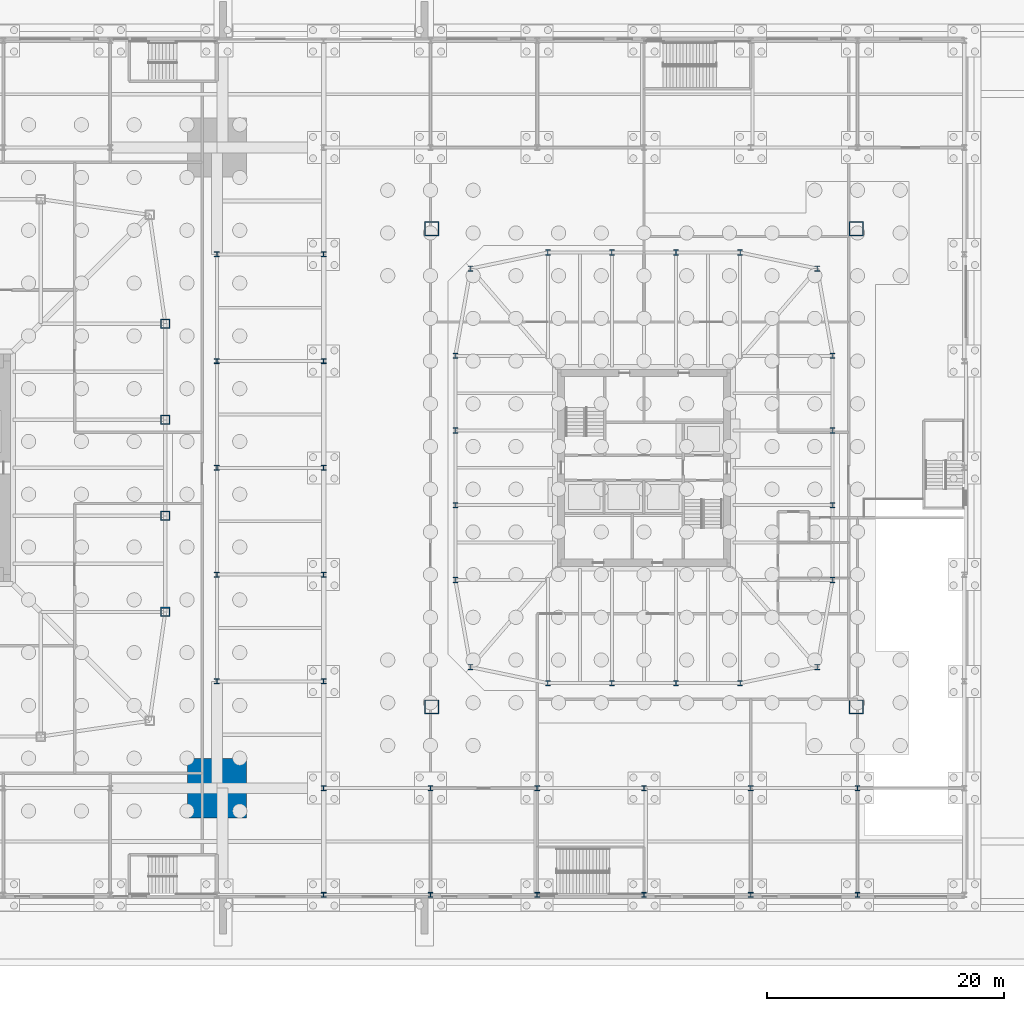
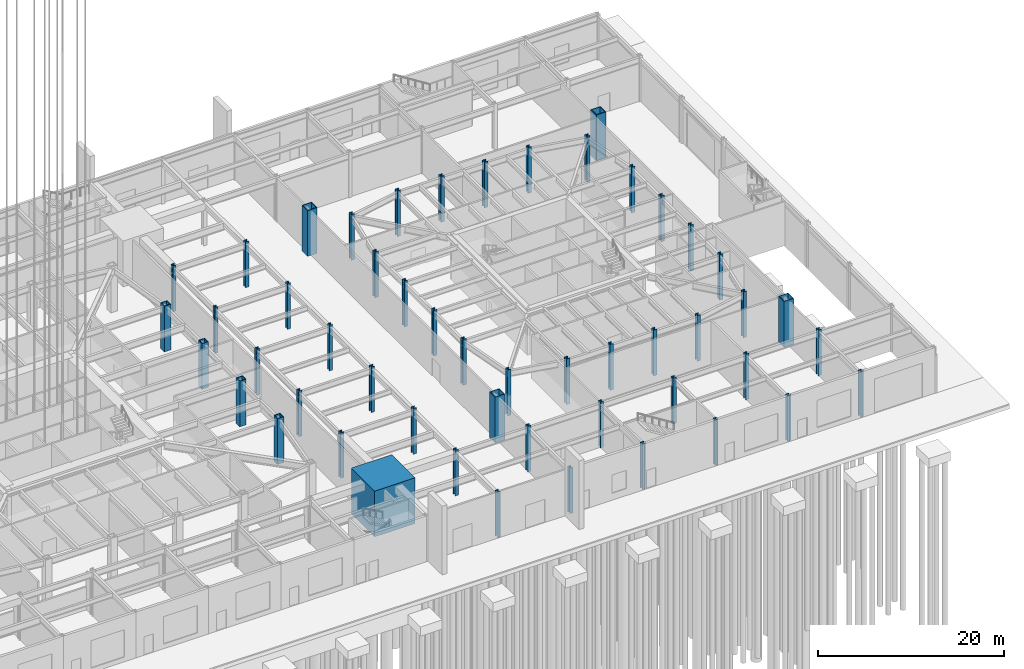
# One storey, part 6 of 37: 51 columns.
"""IFC4 building model written with IfcOpenShell, lengths in metres."""

from ifc_helpers import new_model, si_unit, direction, frame, origin, origin_2d, place, context, subcontext, project, spatial, rectangle, hollow_rectangle, i_section, extrude, material, material_profile, profile_set, type_object, element, save


model = new_model("IFC4")

# Units and contexts
model_context = context("Model", 3, precision=1e-05, world=origin(), true_north=direction((0.0, 1.0)))
body_context = subcontext(model_context, "Body", "Model", "MODEL_VIEW")
ifc_project = project(units=[si_unit("LENGTHUNIT", "METRE"), si_unit("AREAUNIT", "SQUARE_METRE"), si_unit("VOLUMEUNIT", "CUBIC_METRE"), si_unit("PLANEANGLEUNIT", "RADIAN"), si_unit("MASSUNIT", "GRAM", prefix="KILO")], contexts=[model_context])

# Site, building, storey
site_placement = place(None, origin())
site = spatial("IfcSite", under=ifc_project, at=site_placement, CompositionType="ELEMENT")
building_placement = place(site_placement, origin())
building = spatial("IfcBuilding", under=site, at=building_placement, Name="Iwan Alto Co-Living Towers", CompositionType="ELEMENT")
storey_placement = place(building_placement, origin())
storey = spatial("IfcBuildingStorey", under=building, at=storey_placement, Name="L00", CompositionType="ELEMENT", Elevation=0.0)

# Columns
ifc_material_1 = material(Name="Steel ASTM A992 Gr 50", Category="steel")
ifc_material_profile_1 = material_profile(ifc_material_1, i_section(OverallWidth=0.411376953125, OverallDepth=0.434326171875, WebThickness=0.035888671875, FlangeThickness=0.057373046875, at=origin_2d()), Name="W14X311")
ifc_profile_set_1 = profile_set([ifc_material_profile_1], Name="Steel ASTM A992 Gr 50")
column_type_1 = type_object("IfcColumnType", Name="PODIUM COLUMN W14X311", PredefinedType="COLUMN", material=ifc_profile_set_1)
for number, where, z_axis, x_axis, name in (
    (1, (27.0, -18.0, 0.0), (0.0, 0.0, 1.0), (1.0, 0.0, 0.0), "Podium column 8/C L00"),
    (2, (27.0, -9.0, 0.0), (0.0, 0.0, 1.0), (1.0, 0.0, 0.0), "Podium column 8/D L00"),
    (3, (27.0, 0.0, 0.0), (0.0, 0.0, 1.0), (1.0, 0.0, 0.0), "Podium column 8/E L00"),
    (4, (27.0, 9.0, 0.0), (0.0, 0.0, 1.0), (1.0, 0.0, 0.0), "Podium column 8/F L00"),
    (5, (27.0, 18.0, 0.0), (0.0, 0.0, 1.0), (1.0, 0.0, 0.0), "Podium column 8/G L00"),
    (6, (36.0, -36.0, 0.0), (0.0, 0.0, 1.0), (1.0, 0.0, 0.0), "Podium column 9/A L00"),
    (7, (36.0, -27.0, 0.0), (0.0, 0.0, 1.0), (1.0, 0.0, 0.0), "Podium column 9/B L00"),
    (8, (36.0, -18.0, 0.0), (0.0, 0.0, 1.0), (1.0, 0.0, 0.0), "Podium column 9/C L00"),
    (9, (36.0, -9.0, 0.0), (0.0, 0.0, 1.0), (1.0, 0.0, 0.0), "Podium column 9/D L00"),
    (10, (36.0, 0.0, 0.0), (0.0, 0.0, 1.0), (1.0, 0.0, 0.0), "Podium column 9/E L00"),
    (11, (36.0, 9.0, 0.0), (0.0, 0.0, 1.0), (1.0, 0.0, 0.0), "Podium column 9/F L00"),
    (12, (36.0, 18.0, 0.0), (0.0, 0.0, 1.0), (1.0, 0.0, 0.0), "Podium column 9/G L00"),
    (13, (45.0, -36.0, 0.0), (0.0, 0.0, 1.0), (1.0, 0.0, 0.0), "Podium column 10/A L00"),
    (14, (45.0, -27.0, 0.0), (0.0, 0.0, 1.0), (1.0, 0.0, 0.0), "Podium column 10/B L00"),
    (15, (54.0, -36.0, 0.0), (0.0, 0.0, 1.0), (1.0, 0.0, 0.0), "Podium column 11/A L00"),
    (16, (54.0, -27.0, 0.0), (0.0, 0.0, 1.0), (1.0, 0.0, 0.0), "Podium column 11/B L00"),
    (17, (63.0, -36.0, 0.0), (0.0, 0.0, 1.0), (1.0, 0.0, 0.0), "Podium column 12/A L00"),
    (18, (63.0, -27.0, 0.0), (0.0, 0.0, 1.0), (1.0, 0.0, 0.0), "Podium column 12/B L00"),
    (19, (72.0, -36.0, 0.0), (0.0, 0.0, 1.0), (1.0, 0.0, 0.0), "Podium column 13/A L00"),
    (20, (72.0, -27.0, 0.0), (0.0, 0.0, 1.0), (1.0, 0.0, 0.0), "Podium column 13/B L00"),
    (21, (81.0, -36.0, 0.0), (0.0, 0.0, 1.0), (1.0, 0.0, 0.0), "Podium column 14/A L00"),
    (22, (81.0, -27.0, 0.0), (0.0, 0.0, 1.0), (1.0, 0.0, 0.0), "Podium column 14/B L00"),
):
    element("IfcColumn", number, at=place(storey_placement, frame(where, z_axis=z_axis, x_axis=x_axis)), inside=storey, type_object=column_type_1, Name=name, PredefinedType="COLUMN", context=body_context, shape_type="SweptSolid", body=[
        extrude(i_section(OverallWidth=0.411376953125, OverallDepth=0.434326171875, WebThickness=0.035888671875, FlangeThickness=0.057373046875, at=origin_2d()), origin(), (0.0, 0.0, 1.0), 6.0),
    ])
ifc_material_2 = material(Name="Concrete f'c 70 MPa", Category="concrete")
ifc_material_profile_2 = material_profile(ifc_material_2, rectangle(XDim=5.0, YDim=5.0, at=origin_2d()), Name="RC 5000X5000")
ifc_profile_set_2 = profile_set([ifc_material_profile_2], Name="Concrete f'c 70 MPa")
column_type_2 = type_object("IfcColumnType", Name="T1 MEGA COLUMN RC 5000X5000", PredefinedType="COLUMN", material=ifc_profile_set_2)
column_placement = place(storey_placement, frame((27.0, -27.0, 0.0), z_axis=(0.0, 0.0, 1.0), x_axis=(1.0, 0.0, 0.0)))
element("IfcColumn", 23, at=column_placement, inside=storey, type_object=column_type_2, Name="T1 mega column SE L00", PredefinedType="COLUMN", context=body_context, shape_type="SweptSolid", body=[
    extrude(rectangle(XDim=5.0, YDim=5.0, at=origin_2d()), origin(), (0.0, 0.0, 1.0), 6.0),
    extrude(i_section(OverallWidth=0.4775390625, OverallDepth=0.599365234375, WebThickness=0.10009765625, FlangeThickness=0.139892578125, at=origin_2d()), origin(), (0.0, 0.0, 1.0), 6.0),
])
ifc_material_3 = material(Name="Steel ASTM A572 Gr 50", Category="steel")
ifc_material_profile_3 = material_profile(ifc_material_3, hollow_rectangle(XDim=0.800048828125, YDim=0.800048828125, WallThickness=0.090087890625, at=origin_2d()), Name="BOX 800X800X90")
ifc_profile_set_3 = profile_set([ifc_material_profile_3], Name="Steel ASTM A572 Gr 50")
column_type_3 = type_object("IfcColumnType", Name="T1 RING COLUMN BOX 800X800X90", PredefinedType="COLUMN", material=ifc_profile_set_3)
for number, where, z_axis, x_axis, name in (
    (24, (22.64990234375, -12.14990234375, 0.0), (0.0, 0.0, 1.0), (1.0, 0.0, 0.0), "T1 ring column E1 L00"),
    (25, (22.64990234375, -4.050048828125, 0.0), (0.0, 0.0, 1.0), (1.0, 0.0, 0.0), "T1 ring column E2 L00"),
    (26, (22.64990234375, 4.050048828125, 0.0), (0.0, 0.0, 1.0), (1.0, 0.0, 0.0), "T1 ring column E3 L00"),
    (27, (22.64990234375, 12.14990234375, 0.0), (0.0, 0.0, 1.0), (1.0, 0.0, 0.0), "T1 ring column E4 L00"),
):
    element("IfcColumn", number, at=place(storey_placement, frame(where, z_axis=z_axis, x_axis=x_axis)), inside=storey, type_object=column_type_3, Name=name, PredefinedType="COLUMN", context=body_context, shape_type="SweptSolid", body=[
        extrude(hollow_rectangle(XDim=0.800048828125, YDim=0.800048828125, WallThickness=0.090087890625, at=origin_2d()), origin(), (0.0, 0.0, 1.0), 6.0),
    ])
ifc_material_4 = material(Name="Steel ASTM A572 Gr 50", Category="steel")
ifc_material_profile_4 = material_profile(ifc_material_4, hollow_rectangle(XDim=1.199951171875, YDim=1.199951171875, WallThickness=0.070068359375, at=origin_2d()), Name="BOX 1200X1200X70")
ifc_profile_set_4 = profile_set([ifc_material_profile_4], Name="Steel ASTM A572 Gr 50")
column_type_4 = type_object("IfcColumnType", Name="T2 MEGA COLUMN BOX 1200X1200X70", PredefinedType="COLUMN", material=ifc_profile_set_4)
for number, where, z_axis, x_axis, name in (
    (28, (45.10009765625, -20.14990234375, 0.0), (0.0, 0.0, 1.0), (1.0, 0.0, 0.0), "T2 mega column SW L00"),
    (29, (80.89990234375, -20.14990234375, 0.0), (0.0, 0.0, 1.0), (1.0, 0.0, 0.0), "T2 mega column SE L00"),
    (30, (80.89990234375, 20.14990234375, 0.0), (0.0, 0.0, 1.0), (1.0, 0.0, 0.0), "T2 mega column NE L00"),
    (31, (45.10009765625, 20.14990234375, 0.0), (0.0, 0.0, 1.0), (1.0, 0.0, 0.0), "T2 mega column NW L00"),
):
    element("IfcColumn", number, at=place(storey_placement, frame(where, z_axis=z_axis, x_axis=x_axis)), inside=storey, type_object=column_type_4, Name=name, PredefinedType="COLUMN", context=body_context, shape_type="SweptSolid", body=[
        extrude(hollow_rectangle(XDim=1.199951171875, YDim=1.199951171875, WallThickness=0.070068359375, at=origin_2d()), origin(), (0.0, 0.0, 1.0), 6.0),
    ])
ifc_material_5 = material(Name="Steel ASTM A992 Gr 50", Category="steel")
ifc_material_profile_5 = material_profile(ifc_material_5, i_section(OverallWidth=0.424072265625, OverallDepth=0.47509765625, WebThickness=0.0478515625, FlangeThickness=0.0771484375, at=origin_2d()), Name="W14X426")
ifc_profile_set_5 = profile_set([ifc_material_profile_5], Name="Steel ASTM A992 Gr 50")
column_type_5 = type_object("IfcColumnType", Name="T2 RING COLUMN W14X426", PredefinedType="COLUMN", material=ifc_profile_set_5)
for number, where, z_axis, x_axis, name in (
    (32, (48.393798828125, -16.797119140625, 0.0), (0.0, 0.0, 1.0), (1.0, 0.0, 0.0), "T2 ring column CSW L00"),
    (33, (54.89990234375, -18.14990234375, 0.0), (0.0, 0.0, 1.0), (1.0, 0.0, 0.0), "T2 ring column S1 L00"),
    (34, (60.300048828125, -18.14990234375, 0.0), (0.0, 0.0, 1.0), (1.0, 0.0, 0.0), "T2 ring column S2 L00"),
    (35, (65.699951171875, -18.14990234375, 0.0), (0.0, 0.0, 1.0), (1.0, 0.0, 0.0), "T2 ring column S3 L00"),
    (36, (71.10009765625, -18.14990234375, 0.0), (0.0, 0.0, 1.0), (1.0, 0.0, 0.0), "T2 ring column S4 L00"),
    (37, (77.606201171875, -16.797119140625, 0.0), (0.0, 0.0, 1.0), (1.0, 0.0, 0.0), "T2 ring column CSE L00"),
    (38, (78.89990234375, -9.449951171875, 0.0), (0.0, 0.0, 1.0), (1.0, 0.0, 0.0), "T2 ring column E1 L00"),
    (39, (78.89990234375, -3.14990234375, 0.0), (0.0, 0.0, 1.0), (1.0, 0.0, 0.0), "T2 ring column E2 L00"),
    (40, (78.89990234375, 3.14990234375, 0.0), (0.0, 0.0, 1.0), (1.0, 0.0, 0.0), "T2 ring column E3 L00"),
    (41, (78.89990234375, 9.449951171875, 0.0), (0.0, 0.0, 1.0), (1.0, 0.0, 0.0), "T2 ring column E4 L00"),
    (42, (77.606201171875, 16.797119140625, 0.0), (0.0, 0.0, 1.0), (1.0, 0.0, 0.0), "T2 ring column CNE L00"),
    (43, (71.10009765625, 18.14990234375, 0.0), (0.0, 0.0, 1.0), (1.0, 0.0, 0.0), "T2 ring column N1 L00"),
    (44, (65.699951171875, 18.14990234375, 0.0), (0.0, 0.0, 1.0), (1.0, 0.0, 0.0), "T2 ring column N2 L00"),
    (45, (60.300048828125, 18.14990234375, 0.0), (0.0, 0.0, 1.0), (1.0, 0.0, 0.0), "T2 ring column N3 L00"),
    (46, (54.89990234375, 18.14990234375, 0.0), (0.0, 0.0, 1.0), (1.0, 0.0, 0.0), "T2 ring column N4 L00"),
    (47, (48.393798828125, 16.797119140625, 0.0), (0.0, 0.0, 1.0), (1.0, 0.0, 0.0), "T2 ring column CNW L00"),
    (48, (47.10009765625, 9.449951171875, 0.0), (0.0, 0.0, 1.0), (1.0, 0.0, 0.0), "T2 ring column W1 L00"),
    (49, (47.10009765625, 3.14990234375, 0.0), (0.0, 0.0, 1.0), (1.0, 0.0, 0.0), "T2 ring column W2 L00"),
    (50, (47.10009765625, -3.14990234375, 0.0), (0.0, 0.0, 1.0), (1.0, 0.0, 0.0), "T2 ring column W3 L00"),
    (51, (47.10009765625, -9.449951171875, 0.0), (0.0, 0.0, 1.0), (1.0, 0.0, 0.0), "T2 ring column W4 L00"),
):
    element("IfcColumn", number, at=place(storey_placement, frame(where, z_axis=z_axis, x_axis=x_axis)), inside=storey, type_object=column_type_5, Name=name, PredefinedType="COLUMN", context=body_context, shape_type="SweptSolid", body=[
        extrude(i_section(OverallWidth=0.424072265625, OverallDepth=0.47509765625, WebThickness=0.0478515625, FlangeThickness=0.0771484375, at=origin_2d()), origin(), (0.0, 0.0, 1.0), 6.0),
    ])

save(model, "model.ifc")
